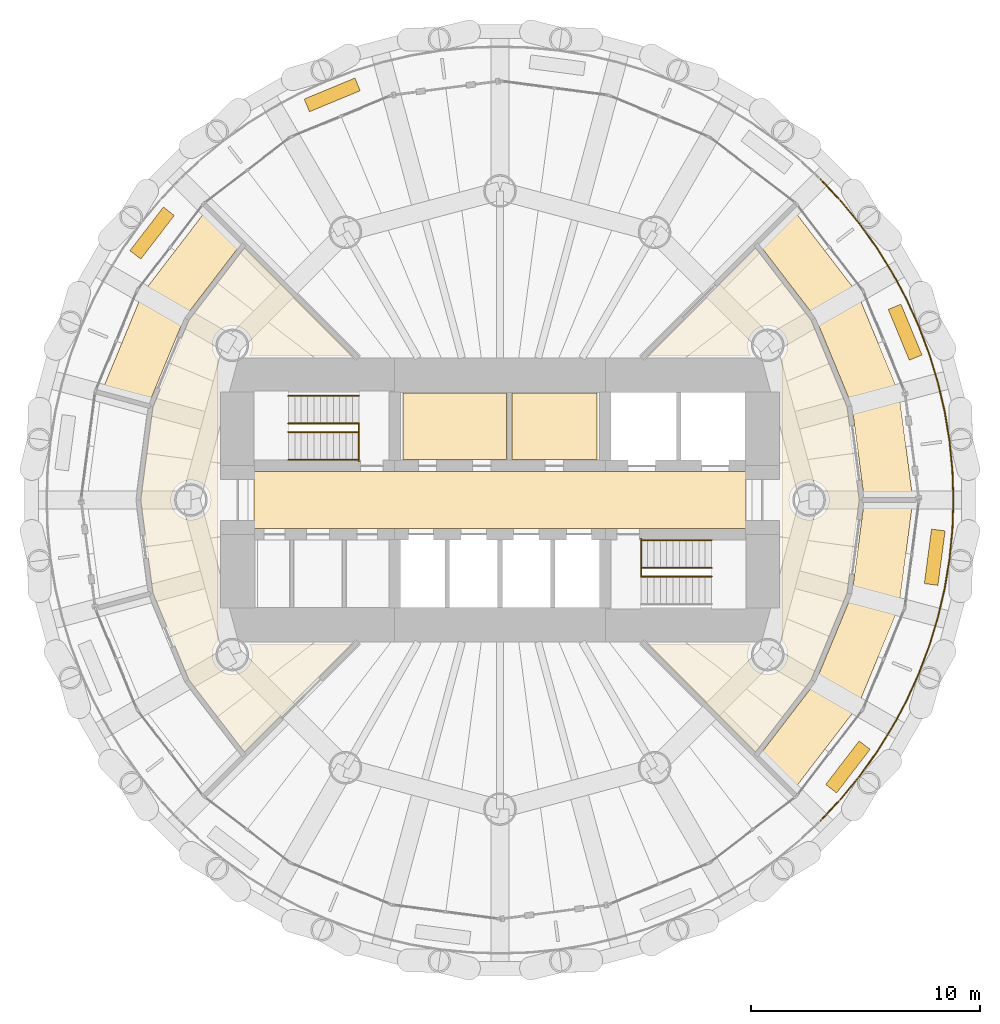
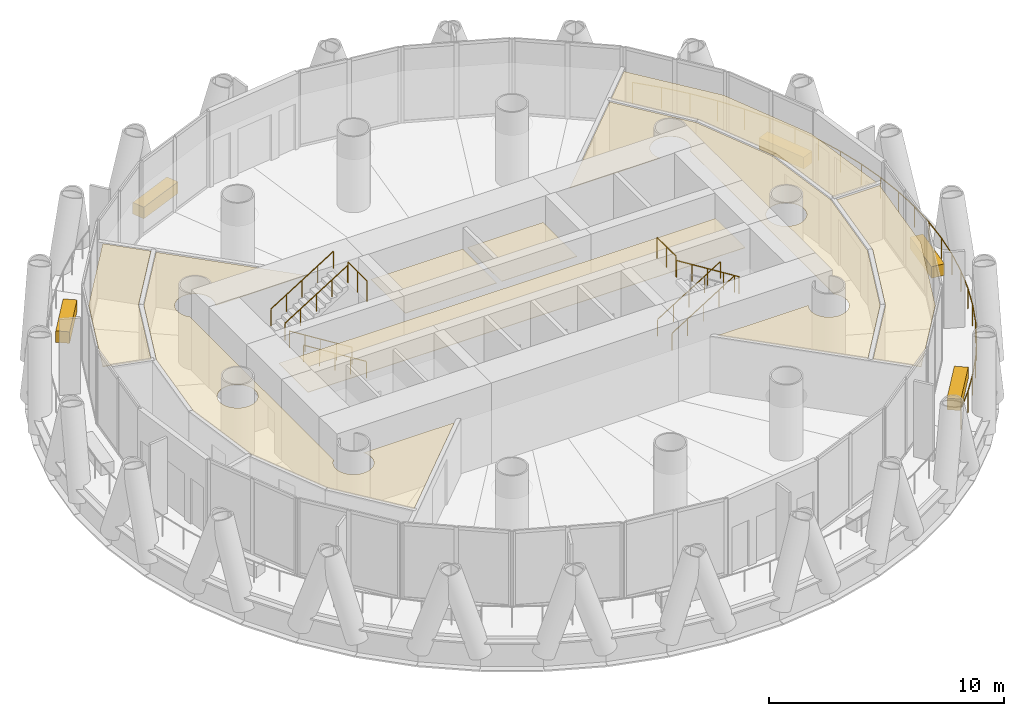
# One storey, part 12 of 13: 13 coverings, 10 railings.
"""IFC4 building model written with IfcOpenShell, lengths in metres."""

from ifc_helpers import new_model, si_unit, direction, frame, origin, origin_2d, place, context, subcontext, project, spatial, polyline, rectangle, circle, outline, extrude, material, layer, layer_set, type_object, element, save


model = new_model("IFC4")

# Units and contexts
model_context = context("Model", 3, precision=1e-05, world=origin(), true_north=direction((0.0, 1.0)))
body_context = subcontext(model_context, "Body", "Model", "MODEL_VIEW")
ifc_project = project(units=[si_unit("LENGTHUNIT", "METRE"), si_unit("AREAUNIT", "SQUARE_METRE"), si_unit("VOLUMEUNIT", "CUBIC_METRE"), si_unit("PLANEANGLEUNIT", "RADIAN"), si_unit("MASSUNIT", "GRAM", prefix="KILO")], contexts=[model_context])

# Site, building, storey
site_placement = place(None, origin())
site = spatial("IfcSite", under=ifc_project, at=site_placement, CompositionType="ELEMENT")
building_placement = place(site_placement, origin())
building = spatial("IfcBuilding", under=site, at=building_placement, Name="Qaws Media Tower", CompositionType="ELEMENT")
storey_placement = place(building_placement, frame((0.0, 0.0, 282.199951171875)))
storey = spatial("IfcBuildingStorey", under=building, at=storey_placement, Name="L65", CompositionType="ELEMENT", Elevation=282.199951171875)

# Covering
ifc_material_1 = material(Name="40 perforated acoustic panels with mineral wool backing, suspended", Category="mineral fibre")
ifc_layer_1 = layer(ifc_material_1, 0.0400390625)
ifc_layer_set_1 = layer_set([ifc_layer_1], Name="Acoustic panel ceiling 40")
covering_type_1 = type_object("IfcCoveringType", Name="Acoustic panel ceiling 40", PredefinedType="CEILING", material=ifc_layer_set_1)
covering_1_placement = place(storey_placement, frame((0.0, 0.0, 2.85009765625)))
element("IfcCovering", 1, at=covering_1_placement, inside=storey, type_object=covering_type_1, Name="CL3 ceiling L65-04 Private dining room", PredefinedType="CEILING", context=body_context, shape_type="SweptSolid", body=[
    extrude(outline(polyline([(44.381103515625, 59.017578125), (47.177978515625, 62.662841796875), (48.678466796875, 61.16259765625), (46.218505859375, 57.956787109375), (44.672119140625, 54.223388671875), (42.622802734375, 54.772705078125), (44.381103515625, 59.017578125)])), origin(), (0.0, 0.0, 1.0), 0.0400390625),
])

# Railings
ifc_material_2 = material(Name="Stainless steel and glass guard", Category="steel")
railing_type_1 = type_object("IfcRailingType", Name="Balcony guard 1100", PredefinedType="GUARDRAIL", material=ifc_material_2)
railing_1_placement = place(storey_placement, frame((74.000732421875, 35.999267578125, 0.0)))
element("IfcRailing", 2, at=railing_1_placement, inside=storey, type_object=railing_type_1, Name="GR1 balcony guard L65-4", PredefinedType="GUARDRAIL", context=body_context, shape_type="SweptSolid", body=[
    extrude(circle(Radius=0.02392578125, at=origin_2d()), frame((0.0, 0.0, 1.076171875), z_axis=(0.683552460166, 0.729901386627, 0.0), x_axis=(-0.729901386627, 0.683552460166, 0.0)), (0.0, 0.0, 1.0), 1.2958984375),
    extrude(circle(Radius=0.02392578125, at=origin_2d()), frame((0.8857421875, 0.94580078125, 1.076171875), z_axis=(0.634458093328, 0.77295726131, 0.0), x_axis=(-0.77295726131, 0.634458093328, 0.0)), (0.0, 0.0, 1.0), 1.295654296875),
    extrude(circle(Radius=0.02392578125, at=origin_2d()), frame((1.707763671875, 1.947265625, 1.076171875), z_axis=(0.582431795623, 0.812879574997, 0.0), x_axis=(-0.812879574997, 0.582431795623, 0.0)), (0.0, 0.0, 1.0), 1.295654296875),
    extrude(circle(Radius=0.02392578125, at=origin_2d()), frame((2.46240234375, 3.00048828125, 1.076171875), z_axis=(0.527981873191, 0.849255639711, 0.0), x_axis=(-0.849255639711, 0.527981873191, 0.0)), (0.0, 0.0, 1.0), 1.295654296875),
    extrude(circle(Radius=0.02392578125, at=origin_2d()), frame((3.146484375, 4.100830078125, 1.076171875), z_axis=(0.471468241052, 0.881883040816, 0.0), x_axis=(-0.881883040816, 0.471468241052, 0.0)), (0.0, 0.0, 1.0), 1.295654296875),
    extrude(circle(Radius=0.02392578125, at=origin_2d()), frame((3.75732421875, 5.243408203125, 1.076171875), z_axis=(0.412666865584, 0.910882022025, 0.0), x_axis=(-0.910882022025, 0.412666865584, 0.0)), (0.0, 0.0, 1.0), 1.295654296875),
    extrude(circle(Radius=0.02392578125, at=origin_2d()), frame((4.2919921875, 6.423583984375, 1.076171875), z_axis=(0.352341407841, 0.935871536227, 0.0), x_axis=(-0.935871536227, 0.352341407841, 0.0)), (0.0, 0.0, 1.0), 1.295654296875),
    extrude(circle(Radius=0.02392578125, at=origin_2d()), frame((4.74853515625, 7.63623046875, 1.076171875), z_axis=(0.29016427463, 0.956976851198, 0.0), x_axis=(-0.956976851198, 0.29016427463, 0.0)), (0.0, 0.0, 1.0), 1.295654296875),
    extrude(circle(Radius=0.02392578125, at=origin_2d()), frame((5.12451171875, 8.876220703125, 1.076171875), z_axis=(0.227074727453, 0.973877337324, 0.0), x_axis=(-0.973877337324, 0.227074727453, 0.0)), (0.0, 0.0, 1.0), 1.295654296875),
    extrude(circle(Radius=0.02392578125, at=origin_2d()), frame((5.418701171875, 10.137939453125, 1.076171875), z_axis=(0.162993223464, 0.986627188509, 0.0), x_axis=(-0.986627188509, 0.162993223464, 0.0)), (0.0, 0.0, 1.0), 1.295654296875),
    extrude(circle(Radius=0.02392578125, at=origin_2d()), frame((5.6298828125, 11.416259765625, 1.076171875), z_axis=(0.097973924779, 0.995188982085, 0.0), x_axis=(-0.995188982085, 0.097973924779, 0.0)), (0.0, 0.0, 1.0), 1.2958984375),
    extrude(circle(Radius=0.02392578125, at=origin_2d()), frame((5.7568359375, 12.705810546875, 1.076171875), z_axis=(0.03278779156, 0.999462335821, 0.0), x_axis=(-0.999462335821, 0.03278779156, 0.0)), (0.0, 0.0, 1.0), 1.295654296875),
    extrude(circle(Radius=0.02392578125, at=origin_2d()), frame((5.79931640625, 14.000732421875, 1.076171875), z_axis=(-0.03278779156, 0.999462335821, 0.0), x_axis=(-0.999462335821, -0.03278779156, 0.0)), (0.0, 0.0, 1.0), 1.295654296875),
    extrude(circle(Radius=0.02392578125, at=origin_2d()), frame((5.7568359375, 15.295654296875, 1.076171875), z_axis=(-0.097973924779, 0.995188982085, 0.0), x_axis=(-0.995188982085, -0.097973924779, 0.0)), (0.0, 0.0, 1.0), 1.2958984375),
    extrude(circle(Radius=0.02392578125, at=origin_2d()), frame((5.6298828125, 16.585205078125, 1.076171875), z_axis=(-0.162993223464, 0.986627188509, 0.0), x_axis=(-0.986627188509, -0.162993223464, 0.0)), (0.0, 0.0, 1.0), 1.295654296875),
    extrude(circle(Radius=0.02392578125, at=origin_2d()), frame((5.418701171875, 17.863525390625, 1.076171875), z_axis=(-0.227074727453, 0.973877337324, 0.0), x_axis=(-0.973877337324, -0.227074727453, 0.0)), (0.0, 0.0, 1.0), 1.295654296875),
    extrude(circle(Radius=0.02392578125, at=origin_2d()), frame((5.12451171875, 19.125244140625, 1.076171875), z_axis=(-0.29016427463, 0.956976851198, 0.0), x_axis=(-0.956976851198, -0.29016427463, 0.0)), (0.0, 0.0, 1.0), 1.295654296875),
    extrude(circle(Radius=0.02392578125, at=origin_2d()), frame((4.74853515625, 20.365234375, 1.076171875), z_axis=(-0.352341407841, 0.935871536227, 0.0), x_axis=(-0.935871536227, -0.352341407841, 0.0)), (0.0, 0.0, 1.0), 1.295654296875),
    extrude(circle(Radius=0.02392578125, at=origin_2d()), frame((4.2919921875, 21.577880859375, 1.076171875), z_axis=(-0.412666865584, 0.910882022025, 0.0), x_axis=(-0.910882022025, -0.412666865584, 0.0)), (0.0, 0.0, 1.0), 1.295654296875),
    extrude(circle(Radius=0.02392578125, at=origin_2d()), frame((3.75732421875, 22.758056640625, 1.076171875), z_axis=(-0.471468241052, 0.881883040816, 0.0), x_axis=(-0.881883040816, -0.471468241052, 0.0)), (0.0, 0.0, 1.0), 1.295654296875),
    extrude(circle(Radius=0.02392578125, at=origin_2d()), frame((3.146484375, 23.900634765625, 1.076171875), z_axis=(-0.527981873191, 0.849255639711, 0.0), x_axis=(-0.849255639711, -0.527981873191, 0.0)), (0.0, 0.0, 1.0), 1.295654296875),
    extrude(circle(Radius=0.02392578125, at=origin_2d()), frame((2.46240234375, 25.0009765625, 1.076171875), z_axis=(-0.582431795623, 0.812879574997, 0.0), x_axis=(-0.812879574997, -0.582431795623, 0.0)), (0.0, 0.0, 1.0), 1.295654296875),
    extrude(circle(Radius=0.02392578125, at=origin_2d()), frame((1.707763671875, 26.05419921875, 1.076171875), z_axis=(-0.634458093328, 0.77295726131, 0.0), x_axis=(-0.77295726131, -0.634458093328, 0.0)), (0.0, 0.0, 1.0), 1.295654296875),
    extrude(circle(Radius=0.02392578125, at=origin_2d()), frame((0.8857421875, 27.0556640625, 1.076171875), z_axis=(-0.683552460166, 0.729901386627, 0.0), x_axis=(-0.729901386627, -0.683552460166, 0.0)), (0.0, 0.0, 1.0), 1.2958984375),
    extrude(circle(Radius=0.02099609375, at=origin_2d()), origin(), (0.0, 0.0, 1.0), 1.052001953125),
    extrude(circle(Radius=0.02099609375, at=origin_2d()), frame((0.8857421875, 0.94580078125, 0.0)), (0.0, 0.0, 1.0), 1.052001953125),
    extrude(circle(Radius=0.02099609375, at=origin_2d()), frame((1.707763671875, 1.947265625, 0.0)), (0.0, 0.0, 1.0), 1.052001953125),
    extrude(circle(Radius=0.02099609375, at=origin_2d()), frame((2.46240234375, 3.00048828125, 0.0)), (0.0, 0.0, 1.0), 1.052001953125),
    extrude(circle(Radius=0.02099609375, at=origin_2d()), frame((3.146484375, 4.100830078125, 0.0)), (0.0, 0.0, 1.0), 1.052001953125),
    extrude(circle(Radius=0.02099609375, at=origin_2d()), frame((3.75732421875, 5.243408203125, 0.0)), (0.0, 0.0, 1.0), 1.052001953125),
    extrude(circle(Radius=0.02099609375, at=origin_2d()), frame((4.2919921875, 6.423583984375, 0.0)), (0.0, 0.0, 1.0), 1.052001953125),
    extrude(circle(Radius=0.02099609375, at=origin_2d()), frame((4.74853515625, 7.63623046875, 0.0)), (0.0, 0.0, 1.0), 1.052001953125),
    extrude(circle(Radius=0.02099609375, at=origin_2d()), frame((5.12451171875, 8.876220703125, 0.0)), (0.0, 0.0, 1.0), 1.052001953125),
    extrude(circle(Radius=0.02099609375, at=origin_2d()), frame((5.418701171875, 10.137939453125, 0.0)), (0.0, 0.0, 1.0), 1.052001953125),
    extrude(circle(Radius=0.02099609375, at=origin_2d()), frame((5.6298828125, 11.416259765625, 0.0)), (0.0, 0.0, 1.0), 1.052001953125),
    extrude(circle(Radius=0.02099609375, at=origin_2d()), frame((5.7568359375, 12.705810546875, 0.0)), (0.0, 0.0, 1.0), 1.052001953125),
    extrude(circle(Radius=0.02099609375, at=origin_2d()), frame((5.79931640625, 14.000732421875, 0.0)), (0.0, 0.0, 1.0), 1.052001953125),
    extrude(circle(Radius=0.02099609375, at=origin_2d()), frame((5.7568359375, 15.295654296875, 0.0)), (0.0, 0.0, 1.0), 1.052001953125),
    extrude(circle(Radius=0.02099609375, at=origin_2d()), frame((5.6298828125, 16.585205078125, 0.0)), (0.0, 0.0, 1.0), 1.052001953125),
    extrude(circle(Radius=0.02099609375, at=origin_2d()), frame((5.418701171875, 17.863525390625, 0.0)), (0.0, 0.0, 1.0), 1.052001953125),
    extrude(circle(Radius=0.02099609375, at=origin_2d()), frame((5.12451171875, 19.125244140625, 0.0)), (0.0, 0.0, 1.0), 1.052001953125),
    extrude(circle(Radius=0.02099609375, at=origin_2d()), frame((4.74853515625, 20.365234375, 0.0)), (0.0, 0.0, 1.0), 1.052001953125),
    extrude(circle(Radius=0.02099609375, at=origin_2d()), frame((4.2919921875, 21.577880859375, 0.0)), (0.0, 0.0, 1.0), 1.052001953125),
    extrude(circle(Radius=0.02099609375, at=origin_2d()), frame((3.75732421875, 22.758056640625, 0.0)), (0.0, 0.0, 1.0), 1.052001953125),
    extrude(circle(Radius=0.02099609375, at=origin_2d()), frame((3.146484375, 23.900634765625, 0.0)), (0.0, 0.0, 1.0), 1.052001953125),
    extrude(circle(Radius=0.02099609375, at=origin_2d()), frame((2.46240234375, 25.0009765625, 0.0)), (0.0, 0.0, 1.0), 1.052001953125),
    extrude(circle(Radius=0.02099609375, at=origin_2d()), frame((1.707763671875, 26.05419921875, 0.0)), (0.0, 0.0, 1.0), 1.052001953125),
    extrude(circle(Radius=0.02099609375, at=origin_2d()), frame((0.8857421875, 27.0556640625, 0.0)), (0.0, 0.0, 1.0), 1.052001953125),
    extrude(circle(Radius=0.02099609375, at=origin_2d()), frame((0.0, 28.00146484375, 0.0)), (0.0, 0.0, 1.0), 1.052001953125),
])
for number, where, name in (
    (3, (53.840087890625, 51.699951171875, 4.199951171875), "GR1 guard S1 top landing L65"),
    (4, (66.159912109375, 46.7099609375, 4.199951171875), "GR1 guard S2 top landing L65"),
):
    element("IfcRailing", number, at=place(storey_placement, frame(where)), inside=storey, type_object=railing_type_1, Name=name, PredefinedType="GUARDRAIL", context=body_context, shape_type="SweptSolid", body=[
        extrude(circle(Radius=0.02392578125, at=origin_2d()), frame((0.0, 0.0, 1.076171875), z_axis=(0.0, 1.0, 0.0), x_axis=(-1.0, 0.0, 0.0)), (0.0, 0.0, 1.0), 1.590087890625),
        extrude(circle(Radius=0.02099609375, at=origin_2d()), origin(), (0.0, 0.0, 1.0), 1.052001953125),
        extrude(circle(Radius=0.02099609375, at=origin_2d()), frame((0.0, 0.794921875, 0.0)), (0.0, 0.0, 1.0), 1.052001953125),
        extrude(circle(Radius=0.02099609375, at=origin_2d()), frame((0.0, 1.590087890625, 0.0)), (0.0, 0.0, 1.0), 1.052001953125),
    ])

# Coverings
ifc_material_3 = material(Name="600 x 600 mineral fibre tiles in exposed grid, suspended", Category="mineral fibre")
ifc_layer_2 = layer(ifc_material_3, 0.02001953125)
ifc_layer_set_2 = layer_set([ifc_layer_2], Name="Mineral fibre tile ceiling 20")
covering_type_2 = type_object("IfcCoveringType", Name="Mineral fibre tile ceiling 20", PredefinedType="CEILING", material=ifc_layer_set_2)
covering_2_placement = place(storey_placement, frame((0.0, 0.0, 2.85009765625)))
element("IfcCovering", 5, at=covering_2_placement, inside=storey, type_object=covering_type_2, Name="CL1 ceiling L65-C07 Ladies toilets", PredefinedType="CEILING", context=body_context, shape_type="SweptSolid", body=[
    extrude(outline(polyline([(55.77001953125, 51.77001953125), (55.77001953125, 54.679931640625), (60.275390625, 54.679931640625), (60.275390625, 51.77001953125), (55.77001953125, 51.77001953125)])), origin(), (0.0, 0.0, 1.0), 0.02001953125),
])
covering_3_placement = place(storey_placement, frame((0.0, 0.0, 2.85009765625)))
element("IfcCovering", 6, at=covering_3_placement, inside=storey, type_object=covering_type_2, Name="CL1 ceiling L65-C08 Gents toilets", PredefinedType="CEILING", context=body_context, shape_type="SweptSolid", body=[
    extrude(outline(polyline([(60.515380859375, 51.77001953125), (60.515380859375, 54.679931640625), (64.22998046875, 54.679931640625), (64.22998046875, 51.77001953125), (60.515380859375, 51.77001953125)])), origin(), (0.0, 0.0, 1.0), 0.02001953125),
])
covering_4_placement = place(storey_placement, frame((0.0, 0.0, 2.85009765625)))
element("IfcCovering", 7, at=covering_4_placement, inside=storey, type_object=covering_type_2, Name="CL1 ceiling L65-01 Corridor", PredefinedType="CEILING", context=body_context, shape_type="SweptSolid", body=[
    extrude(outline(polyline([(73.5849609375, 57.84326171875), (75.152099609375, 54.06005859375), (75.6865234375, 50.0), (75.152099609375, 45.93994140625), (73.5849609375, 42.15673828125), (71.1611328125, 38.998046875), (66.4716796875, 43.6875), (70.9384765625, 43.6875), (70.88671875, 43.583251953125), (70.85009765625, 43.475341796875), (70.827880859375, 43.36376953125), (70.8203125, 43.25), (70.827880859375, 43.13623046875), (70.85009765625, 43.024658203125), (70.88671875, 42.916748046875), (70.93701171875, 42.814453125), (71.000244140625, 42.7197265625), (71.075439453125, 42.634033203125), (71.1611328125, 42.55908203125), (71.255859375, 42.49560546875), (71.35791015625, 42.4453125), (71.4658203125, 42.40869140625), (71.57763671875, 42.386474609375), (71.69140625, 42.37890625), (71.804931640625, 42.386474609375), (71.916748046875, 42.40869140625), (72.024658203125, 42.4453125), (72.126708984375, 42.49560546875), (72.2216796875, 42.55908203125), (72.30712890625, 42.634033203125), (72.38232421875, 42.7197265625), (72.44580078125, 42.814453125), (72.49609375, 42.916748046875), (72.53271484375, 43.024658203125), (72.554931640625, 43.13623046875), (72.562255859375, 43.25), (72.554931640625, 43.36376953125), (72.53271484375, 43.475341796875), (72.49609375, 43.583251953125), (72.44580078125, 43.685546875), (72.38232421875, 43.7802734375), (72.3125, 43.85986328125), (72.3125, 56.14013671875), (72.38232421875, 56.2197265625), (72.44580078125, 56.314453125), (72.49609375, 56.416748046875), (72.53271484375, 56.524658203125), (72.554931640625, 56.63623046875), (72.562255859375, 56.75), (72.554931640625, 56.86376953125), (72.53271484375, 56.975341796875), (72.49609375, 57.083251953125), (72.44580078125, 57.185546875), (72.38232421875, 57.2802734375), (72.30712890625, 57.365966796875), (72.2216796875, 57.44091796875), (72.126708984375, 57.50439453125), (72.024658203125, 57.5546875), (71.916748046875, 57.59130859375), (71.804931640625, 57.613525390625), (71.69140625, 57.62109375), (71.57763671875, 57.613525390625), (71.4658203125, 57.59130859375), (71.35791015625, 57.5546875), (71.255859375, 57.50439453125), (71.1611328125, 57.44091796875), (71.075439453125, 57.365966796875), (71.000244140625, 57.2802734375), (70.93701171875, 57.185546875), (70.88671875, 57.083251953125), (70.85009765625, 56.975341796875), (70.827880859375, 56.86376953125), (70.8203125, 56.75), (70.827880859375, 56.63623046875), (70.85009765625, 56.524658203125), (70.88671875, 56.416748046875), (70.9384765625, 56.3125), (66.4716796875, 56.3125), (71.1611328125, 61.001953125), (73.5849609375, 57.84326171875)]), holes=[polyline([(74.34130859375, 49.774658203125), (74.363525390625, 49.88623046875), (74.37109375, 50.0), (74.363525390625, 50.11376953125), (74.34130859375, 50.225341796875), (74.3046875, 50.333251953125), (74.25439453125, 50.435546875), (74.19091796875, 50.5302734375), (74.115966796875, 50.615966796875), (74.0302734375, 50.69091796875), (73.935546875, 50.75439453125), (73.833251953125, 50.8046875), (73.725341796875, 50.84130859375), (73.61376953125, 50.863525390625), (73.5, 50.87109375), (73.38623046875, 50.863525390625), (73.274658203125, 50.84130859375), (73.166748046875, 50.8046875), (73.064453125, 50.75439453125), (72.9697265625, 50.69091796875), (72.884033203125, 50.615966796875), (72.80908203125, 50.5302734375), (72.74560546875, 50.435546875), (72.6953125, 50.333251953125), (72.65869140625, 50.225341796875), (72.636474609375, 50.11376953125), (72.62890625, 50.0), (72.636474609375, 49.88623046875), (72.65869140625, 49.774658203125), (72.6953125, 49.666748046875), (72.74560546875, 49.564453125), (72.80908203125, 49.4697265625), (72.884033203125, 49.384033203125), (72.9697265625, 49.30908203125), (73.064453125, 49.24560546875), (73.166748046875, 49.1953125), (73.274658203125, 49.15869140625), (73.38623046875, 49.136474609375), (73.5, 49.12890625), (73.61376953125, 49.136474609375), (73.725341796875, 49.15869140625), (73.833251953125, 49.1953125), (73.935546875, 49.24560546875), (74.0302734375, 49.30908203125), (74.115966796875, 49.384033203125), (74.19091796875, 49.4697265625), (74.25439453125, 49.564453125), (74.3046875, 49.666748046875), (74.34130859375, 49.774658203125)])]), origin(), (0.0, 0.0, 1.0), 0.02001953125),
])
covering_5_placement = place(storey_placement, frame((0.0, 0.0, 2.85009765625)))
element("IfcCovering", 8, at=covering_5_placement, inside=storey, type_object=covering_type_2, Name="CL1 ceiling L65-01-1 Corridor", PredefinedType="CEILING", context=body_context, shape_type="SweptSolid", body=[
    extrude(outline(polyline([(44.847900390625, 54.06005859375), (46.4150390625, 57.84326171875), (48.8388671875, 61.001953125), (53.5283203125, 56.3125), (49.0615234375, 56.3125), (49.11328125, 56.416748046875), (49.14990234375, 56.524658203125), (49.172119140625, 56.63623046875), (49.1796875, 56.75), (49.172119140625, 56.86376953125), (49.14990234375, 56.975341796875), (49.11328125, 57.083251953125), (49.06298828125, 57.185546875), (48.999755859375, 57.2802734375), (48.924560546875, 57.365966796875), (48.8388671875, 57.44091796875), (48.744140625, 57.50439453125), (48.64208984375, 57.5546875), (48.5341796875, 57.59130859375), (48.42236328125, 57.613525390625), (48.30859375, 57.62109375), (48.195068359375, 57.613525390625), (48.083251953125, 57.59130859375), (47.975341796875, 57.5546875), (47.873291015625, 57.50439453125), (47.7783203125, 57.44091796875), (47.69287109375, 57.365966796875), (47.61767578125, 57.2802734375), (47.55419921875, 57.185546875), (47.50390625, 57.083251953125), (47.46728515625, 56.975341796875), (47.445068359375, 56.86376953125), (47.437744140625, 56.75), (47.445068359375, 56.63623046875), (47.46728515625, 56.524658203125), (47.50390625, 56.416748046875), (47.55419921875, 56.314453125), (47.61767578125, 56.2197265625), (47.6875, 56.14013671875), (47.6875, 43.85986328125), (47.61767578125, 43.7802734375), (47.55419921875, 43.685546875), (47.50390625, 43.583251953125), (47.46728515625, 43.475341796875), (47.445068359375, 43.36376953125), (47.437744140625, 43.25), (47.445068359375, 43.13623046875), (47.46728515625, 43.024658203125), (47.50390625, 42.916748046875), (47.55419921875, 42.814453125), (47.61767578125, 42.7197265625), (47.69287109375, 42.634033203125), (47.7783203125, 42.55908203125), (47.873291015625, 42.49560546875), (47.975341796875, 42.4453125), (48.083251953125, 42.40869140625), (48.195068359375, 42.386474609375), (48.30859375, 42.37890625), (48.42236328125, 42.386474609375), (48.5341796875, 42.40869140625), (48.64208984375, 42.4453125), (48.744140625, 42.49560546875), (48.8388671875, 42.55908203125), (48.924560546875, 42.634033203125), (48.999755859375, 42.7197265625), (49.06298828125, 42.814453125), (49.11328125, 42.916748046875), (49.14990234375, 43.024658203125), (49.172119140625, 43.13623046875), (49.1796875, 43.25), (49.172119140625, 43.36376953125), (49.14990234375, 43.475341796875), (49.11328125, 43.583251953125), (49.0615234375, 43.6875), (53.5283203125, 43.6875), (48.8388671875, 38.998046875), (46.4150390625, 42.15673828125), (44.847900390625, 45.93994140625), (44.3134765625, 50.0), (44.847900390625, 54.06005859375)]), holes=[polyline([(47.3046875, 49.666748046875), (47.34130859375, 49.774658203125), (47.363525390625, 49.88623046875), (47.37109375, 50.0), (47.363525390625, 50.11376953125), (47.34130859375, 50.225341796875), (47.3046875, 50.333251953125), (47.25439453125, 50.435546875), (47.19091796875, 50.5302734375), (47.115966796875, 50.615966796875), (47.0302734375, 50.69091796875), (46.935546875, 50.75439453125), (46.833251953125, 50.8046875), (46.725341796875, 50.84130859375), (46.61376953125, 50.863525390625), (46.5, 50.87109375), (46.38623046875, 50.863525390625), (46.274658203125, 50.84130859375), (46.166748046875, 50.8046875), (46.064453125, 50.75439453125), (45.9697265625, 50.69091796875), (45.884033203125, 50.615966796875), (45.80908203125, 50.5302734375), (45.74560546875, 50.435546875), (45.6953125, 50.333251953125), (45.65869140625, 50.225341796875), (45.636474609375, 50.11376953125), (45.62890625, 50.0), (45.636474609375, 49.88623046875), (45.65869140625, 49.774658203125), (45.6953125, 49.666748046875), (45.74560546875, 49.564453125), (45.80908203125, 49.4697265625), (45.884033203125, 49.384033203125), (45.9697265625, 49.30908203125), (46.064453125, 49.24560546875), (46.166748046875, 49.1953125), (46.274658203125, 49.15869140625), (46.38623046875, 49.136474609375), (46.5, 49.12890625), (46.61376953125, 49.136474609375), (46.725341796875, 49.15869140625), (46.833251953125, 49.1953125), (46.935546875, 49.24560546875), (47.0302734375, 49.30908203125), (47.115966796875, 49.384033203125), (47.19091796875, 49.4697265625), (47.25439453125, 49.564453125), (47.3046875, 49.666748046875)])]), origin(), (0.0, 0.0, 1.0), 0.02001953125),
])
covering_6_placement = place(storey_placement, frame((0.0, 0.0, 2.85009765625)))
element("IfcCovering", 9, at=covering_6_placement, inside=storey, type_object=covering_type_2, Name="CL1 ceiling L65-02 Guest lounge", PredefinedType="CEILING", context=body_context, shape_type="SweptSolid", body=[
    extrude(outline(polyline([(75.618896484375, 59.017578125), (77.420654296875, 54.66796875), (78.0205078125, 50.112548828125), (75.898681640625, 50.112548828125), (75.37109375, 54.11865234375), (73.781494140625, 57.956787109375), (71.321533203125, 61.16259765625), (72.822021484375, 62.662841796875), (75.618896484375, 59.017578125)])), origin(), (0.0, 0.0, 1.0), 0.02001953125),
])
covering_7_placement = place(storey_placement, frame((0.0, 0.0, 2.85009765625)))
element("IfcCovering", 10, at=covering_7_placement, inside=storey, type_object=covering_type_2, Name="CL1 ceiling L65-08 Cigar and coffee lounge", PredefinedType="CEILING", context=body_context, shape_type="SweptSolid", body=[
    extrude(outline(polyline([(77.420654296875, 45.33203125), (75.618896484375, 40.982421875), (72.822021484375, 37.337158203125), (71.321533203125, 38.83740234375), (73.781494140625, 42.043212890625), (75.37109375, 45.88134765625), (75.898681640625, 49.887451171875), (78.0205078125, 49.887451171875), (77.420654296875, 45.33203125)])), origin(), (0.0, 0.0, 1.0), 0.02001953125),
])
ifc_material_4 = material(Name="Precast concrete planter with trailing planting", Category="concrete")
ifc_layer_3 = layer(ifc_material_4, 0.60009765625)
ifc_layer_set_3 = layer_set([ifc_layer_3], Name="Planter 2400x600")
covering_type_3 = type_object("IfcCoveringType", Name="Planter 2400x600", PredefinedType="USERDEFINED", material=ifc_layer_set_3)
for number, where, z_axis, x_axis, name in (
    (11, (77.6923828125, 57.328369140625, 0.0), (0.0, 0.0, 1.0), (-0.382683432365, 0.923879532511, 0.0), "PL1 balcony planter L65-01"),
    (12, (52.671630859375, 67.6923828125, 0.0), (0.0, 0.0, 1.0), (-0.923879532511, -0.382683432365, 0.0), "PL1 balcony planter L65-04"),
    (13, (44.807373046875, 61.65771484375, 0.0), (0.0, 0.0, 1.0), (-0.608761429009, -0.793353340291, 0.0), "PL1 balcony planter L65-05"),
    (14, (75.192626953125, 38.34228515625, 0.0), (0.0, 0.0, 1.0), (0.608761429009, 0.793353340291, 0.0), "PL1 balcony planter L65-11"),
    (15, (78.986083984375, 47.50048828125, 0.0), (0.0, 0.0, 1.0), (0.13052619222, 0.991444861374, 0.0), "PL1 balcony planter L65-12"),
):
    element("IfcCovering", number, at=place(storey_placement, frame(where, z_axis=z_axis, x_axis=x_axis)), inside=storey, type_object=covering_type_3, Name=name, ObjectType="PLANTER", PredefinedType="USERDEFINED", context=body_context, shape_type="SweptSolid", body=[
        extrude(rectangle(XDim=2.39990234375, YDim=0.60009765625, at=origin_2d()), origin(), (0.0, 0.0, 1.0), 0.60009765625),
    ])
ifc_material_5 = material(Name="Two layers 12.5 moisture-resistant plasterboard on suspended metal furring", Category="gypsum")
ifc_layer_4 = layer(ifc_material_5, 0.02490234375)
ifc_layer_set_4 = layer_set([ifc_layer_4], Name="Plasterboard ceiling 25")
covering_type_4 = type_object("IfcCoveringType", Name="Plasterboard ceiling 25", PredefinedType="CEILING", material=ifc_layer_set_4)
covering_8_placement = place(storey_placement, frame((0.0, 0.0, 2.85009765625)))
element("IfcCovering", 16, at=covering_8_placement, inside=storey, type_object=covering_type_4, Name="CL2 ceiling L65-C01 Lift lobby", PredefinedType="CEILING", context=body_context, shape_type="SweptSolid", body=[
    extrude(outline(polyline([(49.25, 48.75), (49.25, 51.25), (70.75, 51.25), (70.75, 48.75), (49.25, 48.75)])), origin(), (0.0, 0.0, 1.0), 0.02490234375),
])

# Railings
ifc_material_6 = material(Name="Steel tube handrail", Category="steel")
railing_type_2 = type_object("IfcRailingType", Name="Stair handrail 900", PredefinedType="HANDRAIL", material=ifc_material_6)
for number, where, name in (
    (17, (53.840087890625, 51.75, 0.175048828125), "HR1 handrail S1 flight 1 L65"),
    (18, (53.840087890625, 52.9599609375, 0.175048828125), "HR1 handrail S1 flight 1 L65"),
):
    element("IfcRailing", number, at=place(storey_placement, frame(where)), inside=storey, type_object=railing_type_2, Name=name, PredefinedType="HANDRAIL", context=body_context, shape_type="SweptSolid", body=[
        extrude(circle(Radius=0.02392578125, at=origin_2d()), frame((0.0, 0.0, 0.8759765625), z_axis=(-0.847998304005, 0.0, 0.529998940003), x_axis=(0.0, -1.0, 0.0)), (0.0, 0.0, 1.0), 3.632080078125),
        extrude(circle(Radius=0.02099609375, at=origin_2d()), origin(), (0.0, 0.0, 1.0), 0.851806640625),
        extrude(circle(Radius=0.02099609375, at=origin_2d()), frame((-0.77001953125, 0.0, 0.481201171875)), (0.0, 0.0, 1.0), 0.851806640625),
        extrude(circle(Radius=0.02099609375, at=origin_2d()), frame((-1.5400390625, 0.0, 0.96240234375)), (0.0, 0.0, 1.0), 0.851806640625),
        extrude(circle(Radius=0.02099609375, at=origin_2d()), frame((-2.31005859375, 0.0, 1.44384765625)), (0.0, 0.0, 1.0), 0.851806640625),
        extrude(circle(Radius=0.02099609375, at=origin_2d()), frame((-3.080078125, 0.0, 1.925048828125)), (0.0, 0.0, 1.0), 0.851806640625),
    ])
for number, where, name in (
    (19, (50.760009765625, 54.550048828125, 2.275146484375), "HR1 handrail S1 flight 2 L65"),
    (20, (50.760009765625, 53.340087890625, 2.275146484375), "HR1 handrail S1 flight 2 L65"),
):
    element("IfcRailing", number, at=place(storey_placement, frame(where)), inside=storey, type_object=railing_type_2, Name=name, PredefinedType="HANDRAIL", context=body_context, shape_type="SweptSolid", body=[
        extrude(circle(Radius=0.02392578125, at=origin_2d()), frame((0.0, 0.0, 0.8759765625), z_axis=(0.848028513186, 0.0, 0.529950602248), x_axis=(0.0, 1.0, 0.0)), (0.0, 0.0, 1.0), 3.632080078125),
        extrude(circle(Radius=0.02099609375, at=origin_2d()), origin(), (0.0, 0.0, 1.0), 0.851806640625),
        extrude(circle(Radius=0.02099609375, at=origin_2d()), frame((0.77001953125, 0.0, 0.481201171875)), (0.0, 0.0, 1.0), 0.851806640625),
        extrude(circle(Radius=0.02099609375, at=origin_2d()), frame((1.5400390625, 0.0, 0.96240234375)), (0.0, 0.0, 1.0), 0.851806640625),
        extrude(circle(Radius=0.02099609375, at=origin_2d()), frame((2.31005859375, 0.0, 1.443603515625)), (0.0, 0.0, 1.0), 0.851806640625),
        extrude(circle(Radius=0.02099609375, at=origin_2d()), frame((3.080078125, 0.0, 1.9248046875)), (0.0, 0.0, 1.0), 0.851806640625),
    ])
for number, where, name in (
    (21, (66.159912109375, 48.25, 0.175048828125), "HR1 handrail S2 flight 1 L65"),
    (22, (66.159912109375, 47.0400390625, 0.175048828125), "HR1 handrail S2 flight 1 L65"),
):
    element("IfcRailing", number, at=place(storey_placement, frame(where)), inside=storey, type_object=railing_type_2, Name=name, PredefinedType="HANDRAIL", context=body_context, shape_type="SweptSolid", body=[
        extrude(circle(Radius=0.02392578125, at=origin_2d()), frame((0.0, 0.0, 0.8759765625), z_axis=(0.847998304005, 0.0, 0.529998940003), x_axis=(0.0, 1.0, 0.0)), (0.0, 0.0, 1.0), 3.632080078125),
        extrude(circle(Radius=0.02099609375, at=origin_2d()), origin(), (0.0, 0.0, 1.0), 0.851806640625),
        extrude(circle(Radius=0.02099609375, at=origin_2d()), frame((0.77001953125, 0.0, 0.481201171875)), (0.0, 0.0, 1.0), 0.851806640625),
        extrude(circle(Radius=0.02099609375, at=origin_2d()), frame((1.5400390625, 0.0, 0.96240234375)), (0.0, 0.0, 1.0), 0.851806640625),
        extrude(circle(Radius=0.02099609375, at=origin_2d()), frame((2.31005859375, 0.0, 1.44384765625)), (0.0, 0.0, 1.0), 0.851806640625),
        extrude(circle(Radius=0.02099609375, at=origin_2d()), frame((3.080078125, 0.0, 1.925048828125)), (0.0, 0.0, 1.0), 0.851806640625),
    ])
railing_2_placement = place(storey_placement, frame((69.239990234375, 46.659912109375, 2.275146484375)))
element("IfcRailing", 23, at=railing_2_placement, inside=storey, type_object=railing_type_2, Name="HR1 handrail S2 flight 2 L65", PredefinedType="HANDRAIL", context=body_context, shape_type="SweptSolid", body=[
    extrude(circle(Radius=0.02392578125, at=origin_2d()), frame((0.0, 0.0, 0.8759765625), z_axis=(-0.848028513186, 0.0, 0.529950602248), x_axis=(0.0, -1.0, 0.0)), (0.0, 0.0, 1.0), 3.632080078125),
    extrude(circle(Radius=0.02099609375, at=origin_2d()), origin(), (0.0, 0.0, 1.0), 0.851806640625),
    extrude(circle(Radius=0.02099609375, at=origin_2d()), frame((-0.77001953125, 0.0, 0.481201171875)), (0.0, 0.0, 1.0), 0.851806640625),
    extrude(circle(Radius=0.02099609375, at=origin_2d()), frame((-1.5400390625, 0.0, 0.96240234375)), (0.0, 0.0, 1.0), 0.851806640625),
    extrude(circle(Radius=0.02099609375, at=origin_2d()), frame((-2.31005859375, 0.0, 1.443603515625)), (0.0, 0.0, 1.0), 0.851806640625),
    extrude(circle(Radius=0.02099609375, at=origin_2d()), frame((-3.080078125, 0.0, 1.9248046875)), (0.0, 0.0, 1.0), 0.851806640625),
])

save(model, "model.ifc")
